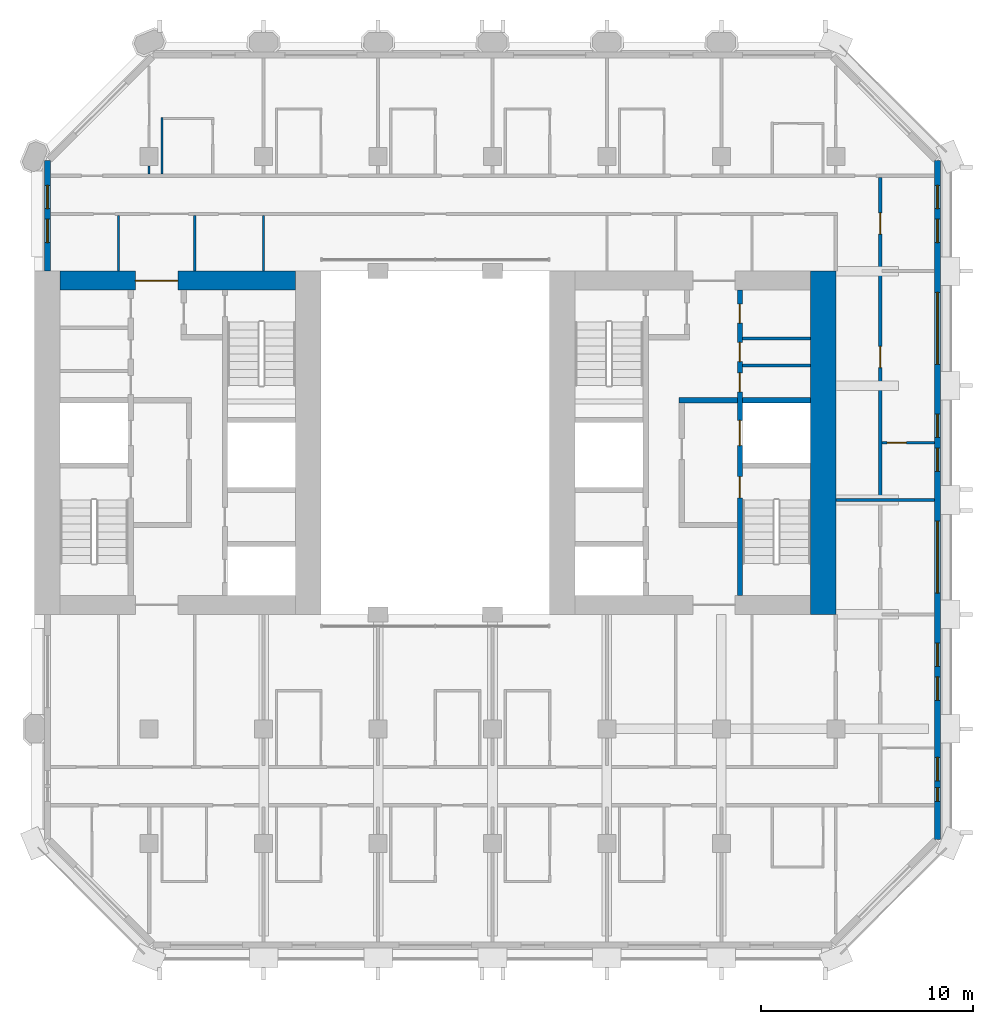
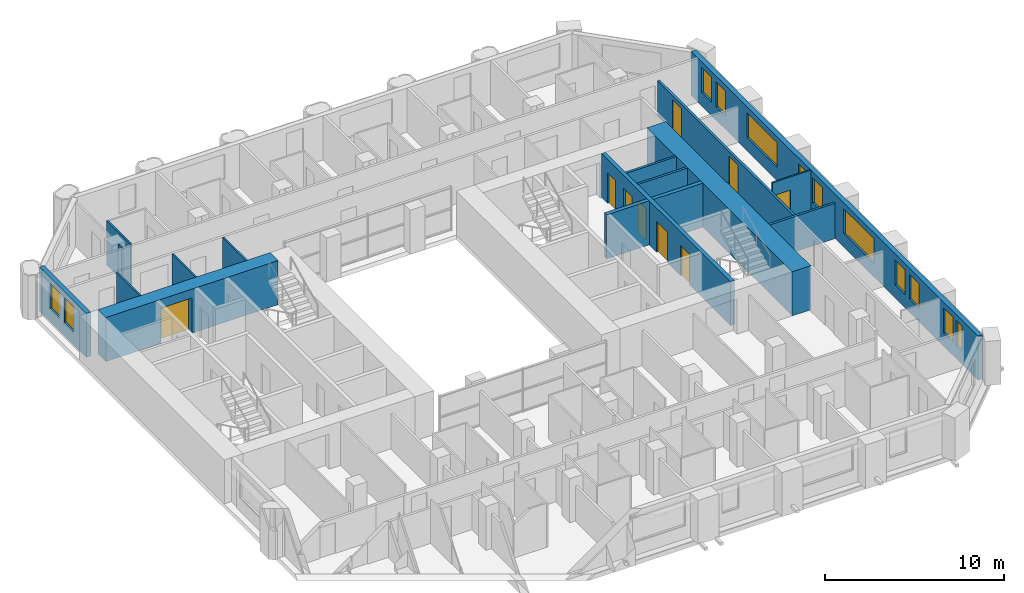
# One storey, part 9 of 13: 17 walls, 12 windows, 9 doors, 21 openings.
"""IFC4 building model written with IfcOpenShell, lengths in metres."""

import ifcopenshell
import ifcopenshell.guid

model = None  # the IFC model being written
_history = None  # IfcOwnerHistory: only IFC2X3 demands one
_inside = {}  # id of a spatial element -> (the spatial element, [elements in it])
_under = {}  # id of a project, library or spatial element -> (it, [spatial elements below it])
_declared = {}  # id of a project -> (the project, [libraries it declares])
_typed = {}  # id of a type object -> (the type object, [elements of that type])
_made_of = {}  # id of a material, layer set ... -> (it, [elements and type objects made of it])


def new_model(schema):
    """Start an empty IFC model of exactly this schema.

    Asked for "IFC4X3", IfcOpenShell would pick the latest addendum, in which some entities
    have other attributes; the version numbers below select the first issue.
    IFC2X3 requires an IfcOwnerHistory on every rooted entity: one is made here for all.
    """
    global model, _history
    if schema == "IFC4X3":
        model = ifcopenshell.file(schema_version=(4, 3, 0, 0))
    else:
        model = ifcopenshell.file(schema=schema)
    _inside.clear()
    _under.clear()
    _declared.clear()
    _typed.clear()
    _made_of.clear()
    _history = None
    if model.schema == "IFC2X3":
        org = make("IfcOrganization", Name="unknown")
        user = make(
            "IfcPersonAndOrganization",
            ThePerson=make("IfcPerson", FamilyName="unknown"),
            TheOrganization=org,
        )
        app = make(
            "IfcApplication",
            ApplicationDeveloper=org,
            Version="unknown",
            ApplicationFullName="unknown",
            ApplicationIdentifier="unknown",
        )
        _history = make(
            "IfcOwnerHistory",
            OwningUser=user,
            OwningApplication=app,
            ChangeAction="ADDED",
            CreationDate=0,
        )
    return model


def make(cls, **values):
    """One entity of the class cls with the attributes given. An attribute that is None is left unset."""
    return model.create_entity(
        cls, **{name: value for name, value in values.items() if value is not None}
    )


def rooted(cls, **values):
    """An entity with a GlobalId (a new one), such as an element, a storey or a relation."""
    return make(cls, GlobalId=ifcopenshell.guid.new(), OwnerHistory=_history, **values)


def si_unit(unit_type, name, prefix=None):
    """IfcSIUnit, for example si_unit("LENGTHUNIT", "METRE", prefix="MILLI")."""
    return make("IfcSIUnit", UnitType=unit_type, Prefix=prefix, Name=name)


def assignment(units):
    """IfcUnitAssignment: the units of a project."""
    return None if units is None else make("IfcUnitAssignment", Units=units)


def point(xyz):
    """IfcCartesianPoint."""
    return None if xyz is None else make("IfcCartesianPoint", Coordinates=xyz)


def direction(xyz):
    """IfcDirection."""
    return None if xyz is None else make("IfcDirection", DirectionRatios=xyz)


def frame(location, z_axis=None, x_axis=None):
    """IfcAxis2Placement3D, a coordinate frame: its origin and axes. An axis left out is left unset."""
    return make(
        "IfcAxis2Placement3D",
        Location=point(location),
        Axis=direction(z_axis),
        RefDirection=direction(x_axis),
    )


def frame_2d(location, x_axis=None):
    """IfcAxis2Placement2D, a coordinate frame in the plane: its origin and x axis."""
    return make(
        "IfcAxis2Placement2D", Location=point(location), RefDirection=direction(x_axis)
    )


def origin():
    """The frame at (0, 0, 0) with its axes left unset."""
    return frame((0.0, 0.0, 0.0))


def place(relative_to, where):
    """IfcLocalPlacement: puts the frame where relative to a parent placement (None: the world)."""
    return make(
        "IfcLocalPlacement", PlacementRelTo=relative_to, RelativePlacement=where
    )


def context(
    kind, dimensions, precision=None, world=None, true_north=None, identifier=None
):
    """IfcGeometricRepresentationContext, for example the 3D "Model" context."""
    return make(
        "IfcGeometricRepresentationContext",
        ContextIdentifier=identifier,
        ContextType=kind,
        CoordinateSpaceDimension=dimensions,
        Precision=precision,
        WorldCoordinateSystem=world,
        TrueNorth=true_north,
    )


def subcontext(parent, identifier, kind, view, scale=None):
    """IfcGeometricRepresentationSubContext, for example "Body" below "Model"."""
    return make(
        "IfcGeometricRepresentationSubContext",
        ContextIdentifier=identifier,
        ContextType=kind,
        ParentContext=parent,
        TargetScale=scale,
        TargetView=view,
    )


def project(units=None, contexts=None):
    """IfcProject with its units and contexts."""
    return rooted(
        "IfcProject",
        Name="project",
        RepresentationContexts=contexts,
        UnitsInContext=assignment(units),
    )


def spatial(cls, under=None, at=None, **own):
    """A site, building, storey or space (cls), placed at a placement, below another one or the project."""
    s = rooted(cls, ObjectPlacement=at, **own)
    if under is not None:
        _under.setdefault(under.id(), (under, []))[1].append(s)
    return s


def profile(cls, at=None, kind="AREA", **sizes):
    """A parametric profile (cls). Its sizes go by their IFC names, for example OverallWidth=200.0."""
    return make(cls, ProfileType=kind, Position=at, **sizes)


def rectangle(**sizes):
    """IfcRectangleProfileDef."""
    return profile("IfcRectangleProfileDef", **sizes)


def extrude(swept, where, along, depth):
    """IfcExtrudedAreaSolid: the profile swept, set in the frame where, extruded along a direction by depth."""
    return make(
        "IfcExtrudedAreaSolid",
        SweptArea=swept,
        Position=where,
        ExtrudedDirection=direction(along),
        Depth=depth,
    )


def shape(context_of_items, identifier, shape_type, items):
    """IfcShapeRepresentation: the items that make up one representation, for example the "Body"."""
    return make(
        "IfcShapeRepresentation",
        ContextOfItems=context_of_items,
        RepresentationIdentifier=identifier,
        RepresentationType=shape_type,
        Items=items,
    )


def material(Name=None, Category=None):
    """IfcMaterial."""
    return make("IfcMaterial", Name=Name, Category=Category)


def layer(
    of_material, thickness, ventilated=None, Name=None, Category=None, Priority=None
):
    """IfcMaterialLayer: one layer of a wall or slab, of a material (None: an air gap)."""
    return make(
        "IfcMaterialLayer",
        Material=of_material,
        LayerThickness=thickness,
        IsVentilated=ventilated,
        Name=Name,
        Category=Category,
        Priority=Priority,
    )


def layer_set(layers, Name=None):
    """IfcMaterialLayerSet."""
    return make("IfcMaterialLayerSet", MaterialLayers=layers, LayerSetName=Name)


def made_of(thing, what):
    """Note that an element or type object is made of a material, layer set ...; save() writes the relation."""
    if what is not None:
        _made_of.setdefault(what.id(), (what, []))[1].append(thing)
    return thing


def type_object(cls, material=None, **own):
    """A type object (cls), such as IfcWallType, which elements share."""
    return made_of(rooted(cls, **own), material)


def element(
    cls,
    number,
    at=None,
    inside=None,
    cuts=None,
    type_object=None,
    material=None,
    context=None,
    identifier="Body",
    shape_type=None,
    held_by="IfcProductDefinitionShape",
    body=None,
    shapes=None,
    **own,
):
    """One element of the class cls, such as IfcWall. Its Tag is "e" and its number.

    at: its placement. inside: the storey or other place that contains it. cuts: it is an
    opening in that element (IfcRelVoidsElement). A single representation is given by context,
    identifier, shape_type and body (its items); several are given by shapes. held_by: the class
    of the entity that holds the representations. save() writes the other relations.
    """
    e = rooted(cls, Tag="e%d" % number, ObjectPlacement=at, **own)
    if body is not None:
        shapes = [shape(context, identifier, shape_type, body)]
    if shapes is not None:
        e.Representation = make(held_by, Representations=shapes)
    if inside is not None:
        _inside.setdefault(inside.id(), (inside, []))[1].append(e)
    if cuts is not None:
        rooted(
            "IfcRelVoidsElement", RelatingBuildingElement=cuts, RelatedOpeningElement=e
        )
    if type_object is not None:
        _typed.setdefault(type_object.id(), (type_object, []))[1].append(e)
    return made_of(e, material)


def fill(opening, filler):
    """IfcRelFillsElement: the door or window that sits in an opening."""
    return rooted(
        "IfcRelFillsElement",
        RelatingOpeningElement=opening,
        RelatedBuildingElement=filler,
    )


def aggregate(whole, parts):
    """IfcRelAggregates: a whole, such as a stair, and the parts it consists of."""
    return rooted("IfcRelAggregates", RelatingObject=whole, RelatedObjects=parts)


def save(model, path):
    """Write the relations noted so far, then the file.

    IfcRelAggregates (storeys below a building ...), IfcRelContainedInSpatialStructure (elements
    in a storey), IfcRelDefinesByType, IfcRelAssociatesMaterial and IfcRelDeclares: one each for
    every whole, place, type object, material and project.
    """
    for whole, parts in _under.values():
        aggregate(whole, parts)
    for where, things in _inside.values():
        rooted(
            "IfcRelContainedInSpatialStructure",
            RelatedElements=things,
            RelatingStructure=where,
        )
    for kind, things in _typed.values():
        rooted("IfcRelDefinesByType", RelatedObjects=things, RelatingType=kind)
    for what, things in _made_of.values():
        rooted("IfcRelAssociatesMaterial", RelatedObjects=things, RelatingMaterial=what)
    for by, libraries in _declared.values():
        rooted("IfcRelDeclares", RelatingContext=by, RelatedDefinitions=libraries)
    model.write(path)


model = new_model("IFC4")

# Units and contexts
model_context = context("Model", 3, precision=1e-05, world=origin(), true_north=direction((0.0, 1.0)))
body_context = subcontext(model_context, "Body", "Model", "MODEL_VIEW")
ifc_project = project(units=[si_unit("LENGTHUNIT", "METRE"), si_unit("AREAUNIT", "SQUARE_METRE"), si_unit("VOLUMEUNIT", "CUBIC_METRE"), si_unit("PLANEANGLEUNIT", "RADIAN"), si_unit("MASSUNIT", "GRAM", prefix="KILO")], contexts=[model_context])

# Site, building, storey
site_placement = place(None, origin())
site = spatial("IfcSite", under=ifc_project, at=site_placement, CompositionType="ELEMENT")
building_placement = place(site_placement, origin())
building = spatial("IfcBuilding", under=site, at=building_placement, Name="Tabaq Tower and Sports Hall", CompositionType="ELEMENT")
storey_placement = place(building_placement, frame((0.0, 0.0, 159.39990234375)))
storey = spatial("IfcBuildingStorey", under=building, at=storey_placement, Name="L37", CompositionType="ELEMENT", Elevation=159.39990234375)

# Walls
ifc_material_1 = material(Name="Blockwork", Category="masonry")
ifc_layer_1 = layer(ifc_material_1, 0.14990234375)
ifc_layer_set_1 = layer_set([ifc_layer_1], Name="Core room partition 150 Blockwork")
wall_type_1 = type_object("IfcWallType", Name="Core room partition 150 Blockwork", PredefinedType="PARTITIONING", material=ifc_layer_set_1)
for number, where, z_axis, x_axis, name in (
    (1, (38.800048828125, 27.947998046875, 0.0), (0.0, 0.0, 1.0), (1.0, 0.0, 0.0), "Core room partition E L37"),
    (2, (38.800048828125, 29.217041015625, 0.0), (0.0, 0.0, 1.0), (1.0, 0.0, 0.0), "Core room partition E L37"),
):
    element("IfcWall", number, at=place(storey_placement, frame(where, z_axis=z_axis, x_axis=x_axis)), inside=storey, type_object=wall_type_1, Name=name, PredefinedType="PARTITIONING", context=body_context, shape_type="SweptSolid", body=[
        extrude(rectangle(XDim=3.199951171875, YDim=0.14990234375, at=frame_2d((1.60009765625, 0.0))), origin(), (0.0, 0.0, 1.0), 3.0),
    ])
ifc_material_2 = material(Name="Concrete C50/60", Category="concrete")
ifc_layer_2 = layer(ifc_material_2, 1.199951171875)
ifc_layer_set_2 = layer_set([ifc_layer_2], Name="Core wall 1200 Concrete C50/60")
wall_type_2 = type_object("IfcWallType", Name="Core wall 1200 Concrete C50/60", PredefinedType="SOLIDWALL", material=ifc_layer_set_2)
wall_1_placement = place(storey_placement, frame((42.60009765625, 32.39990234375, 0.0), z_axis=(0.0, 0.0, 1.0), x_axis=(0.0, -1.0, 0.0)))
element("IfcWall", 3, at=wall_1_placement, inside=storey, type_object=wall_type_2, Name="Core wall E L37", PredefinedType="SOLIDWALL", context=body_context, shape_type="SweptSolid", body=[
    extrude(rectangle(XDim=16.199951171875, YDim=1.199951171875, at=frame_2d((8.10009765625, 0.0))), origin(), (0.0, 0.0, 1.0), 3.0),
])

# Wall, opening, door
ifc_material_3 = material(Name="Concrete C50/60", Category="concrete")
ifc_layer_3 = layer(ifc_material_3, 0.89990234375)
ifc_layer_set_3 = layer_set([ifc_layer_3], Name="Core wall 900 Concrete C50/60")
wall_type_3 = type_object("IfcWallType", Name="Core wall 900 Concrete C50/60", PredefinedType="SOLIDWALL", material=ifc_layer_set_3)
wall_2_placement = place(storey_placement, frame((6.60009765625, 31.949951171875, 0.0), z_axis=(0.0, 0.0, 1.0), x_axis=(1.0, 0.0, 0.0)))
wall_2 = element("IfcWall", 4, at=wall_2_placement, inside=storey, type_object=wall_type_3, Name="Core wall W L37", PredefinedType="SOLIDWALL", context=body_context, shape_type="SweptSolid", body=[
    extrude(rectangle(XDim=11.099853515625, YDim=0.89990234375, at=frame_2d((5.5498046875, 0.0))), origin(), (0.0, 0.0, 1.0), 3.0),
])
opening_1_placement = place(wall_2_placement, frame((3.550048828125, 0.0, 0.0)))
opening_1 = element("IfcOpeningElement", 5, at=opening_1_placement, cuts=wall_2, Name="Opening PD-WL37-02", PredefinedType="OPENING", context=body_context, shape_type="SweptSolid", body=[
    extrude(rectangle(XDim=2.0, YDim=2.39990234375, at=frame_2d((1.0, 1.199951171875))), frame((0.0, 0.449951171875, 0.0), z_axis=(0.0, -1.0, 0.0), x_axis=(1.0, 0.0, 0.0)), (0.0, 0.0, 1.0), 0.89990234375),
])
ifc_material_4 = material(Name="Steel fire door", Category="steel")
door_type_1 = type_object("IfcDoorType", Name="Core entrance door 2000", OperationType="DOUBLE_DOOR_SINGLE_SWING", PredefinedType="DOOR", material=ifc_material_4)
door_1_placement = place(opening_1_placement, origin())
door_1 = element("IfcDoor", 6, at=door_1_placement, inside=storey, type_object=door_type_1, Name="Core entrance north W L37", OperationType="DOUBLE_DOOR_SINGLE_SWING", OverallHeight=2.39990234375, OverallWidth=2.0, PredefinedType="DOOR", context=body_context, shape_type="SweptSolid", body=[
    extrude(rectangle(XDim=2.0, YDim=2.39990234375, at=frame_2d((1.0, 1.199951171875))), frame((0.0, 0.02490234375, 0.0), z_axis=(0.0, -1.0, 0.0), x_axis=(1.0, 0.0, 0.0)), (0.0, 0.0, 1.0), 0.050048828125),
])
fill(opening_1, door_1)

# Walls
ifc_material_5 = material(Name="Gypsum board on steel studs", Category="steel")
ifc_layer_4 = layer(ifc_material_5, 0.10009765625)
ifc_layer_set_4 = layer_set([ifc_layer_4], Name="Partition 100 Gypsum board")
wall_type_4 = type_object("IfcWallType", Name="Partition 100 Gypsum board", PredefinedType="PARTITIONING", material=ifc_layer_set_4)
wall_3_placement = place(storey_placement, frame((10.800048828125, 37.35498046875, 0.0), z_axis=(0.0, 0.0, 1.0), x_axis=(0.0, -1.0, 0.0)))
element("IfcWall", 7, at=wall_3_placement, inside=storey, type_object=wall_type_4, Name="Partition wall L37", PredefinedType="PARTITIONING", context=body_context, shape_type="SweptSolid", body=[
    extrude(rectangle(XDim=0.3798828125, YDim=0.10009765625, at=frame_2d((0.18994140625, 0.0))), origin(), (0.0, 0.0, 1.0), 3.0),
])
wall_4_placement = place(storey_placement, frame((11.39990234375, 36.97509765625, 0.0), z_axis=(0.0, 0.0, 1.0), x_axis=(0.0, 1.0, 0.0)))
element("IfcWall", 8, at=wall_4_placement, inside=storey, type_object=wall_type_4, Name="Partition wall L37", PredefinedType="PARTITIONING", context=body_context, shape_type="SweptSolid", body=[
    extrude(rectangle(XDim=2.6748046875, YDim=0.10009765625, at=frame_2d((1.33740234375, 0.0))), origin(), (0.0, 0.0, 1.0), 3.0),
])
wall_5_placement = place(storey_placement, frame((16.199951171875, 35.02490234375, 0.0), z_axis=(0.0, 0.0, 1.0), x_axis=(0.0, -1.0, 0.0)))
element("IfcWall", 9, at=wall_5_placement, inside=storey, type_object=wall_type_4, Name="Partition wall L37", PredefinedType="PARTITIONING", context=body_context, shape_type="SweptSolid", body=[
    extrude(rectangle(XDim=2.625, YDim=0.10009765625, at=frame_2d((1.3125, 0.0))), origin(), (0.0, 0.0, 1.0), 3.0),
])

# Wall, opening, door
wall_6_placement = place(storey_placement, frame((45.375, 24.300048828125, 0.0), z_axis=(0.0, 0.0, 1.0), x_axis=(1.0, 0.0, 0.0)))
wall_6 = element("IfcWall", 10, at=wall_6_placement, inside=storey, type_object=wall_type_4, Name="Partition wall L37", PredefinedType="PARTITIONING", context=body_context, shape_type="SweptSolid", body=[
    extrude(rectangle(XDim=2.47412109375, YDim=0.10009765625, at=frame_2d((1.237060546875, 0.0))), origin(), (0.0, 0.0, 1.0), 3.0),
])
opening_2_placement = place(wall_6_placement, frame((0.25, 0.0, 0.0)))
opening_2 = element("IfcOpeningElement", 11, at=opening_2_placement, cuts=wall_6, Name="Opening L37-009", PredefinedType="OPENING", context=body_context, shape_type="SweptSolid", body=[
    extrude(rectangle(XDim=0.89990234375, YDim=2.10009765625, at=frame_2d((0.449951171875, 1.050048828125))), frame((0.0, 0.050048828125, 0.0), z_axis=(0.0, -1.0, 0.0), x_axis=(1.0, 0.0, 0.0)), (0.0, 0.0, 1.0), 0.10009765625),
])
ifc_material_6 = material(Name="Timber leaf in steel frame", Category="steel")
door_type_2 = type_object("IfcDoorType", Name="Internal door 900 left hand", OperationType="SINGLE_SWING_LEFT", PredefinedType="DOOR", material=ifc_material_6)
door_2_placement = place(opening_2_placement, origin())
door_2 = element("IfcDoor", 12, at=door_2_placement, inside=storey, type_object=door_type_2, Name="Internal door L37-009", OperationType="SINGLE_SWING_LEFT", OverallHeight=2.10009765625, OverallWidth=0.89990234375, PredefinedType="DOOR", context=body_context, shape_type="SweptSolid", body=[
    extrude(rectangle(XDim=0.89990234375, YDim=2.10009765625, at=frame_2d((0.449951171875, 1.050048828125))), frame((0.0, 0.02490234375, 0.0), z_axis=(0.0, -1.0, 0.0), x_axis=(1.0, 0.0, 0.0)), (0.0, 0.0, 1.0), 0.050048828125),
])
fill(opening_2, door_2)

# Walls
for number, where, z_axis, x_axis, name in (
    (13, (9.35009765625, 35.02490234375, 0.0), (0.0, 0.0, 1.0), (0.0, -1.0, 0.0), "Partition wall L37"),
    (14, (12.949951171875, 32.39990234375, 0.0), (0.0, 0.0, 1.0), (0.0, 1.0, 0.0), "Partition wall L37"),
):
    element("IfcWall", number, at=place(storey_placement, frame(where, z_axis=z_axis, x_axis=x_axis)), inside=storey, type_object=wall_type_4, Name=name, PredefinedType="PARTITIONING", context=body_context, shape_type="SweptSolid", body=[
        extrude(rectangle(XDim=2.625, YDim=0.10009765625, at=frame_2d((1.3125, 0.0))), origin(), (0.0, 0.0, 1.0), 3.0),
    ])

# Wall, openings, doors
ifc_material_7 = material(Name="Blockwork", Category="masonry")
ifc_layer_5 = layer(ifc_material_7, 0.14990234375)
ifc_layer_set_5 = layer_set([ifc_layer_5], Name="Separating wall 150 Blockwork")
wall_type_5 = type_object("IfcWallType", Name="Separating wall 150 Blockwork", PredefinedType="PARTITIONING", material=ifc_layer_set_5)
wall_7_placement = place(storey_placement, frame((45.300048828125, 36.824951171875, 0.0), z_axis=(0.0, 0.0, 1.0), x_axis=(0.0, -1.0, 0.0)))
wall_7 = element("IfcWall", 15, at=wall_7_placement, inside=storey, type_object=wall_type_5, Name="Separating wall L37", PredefinedType="PARTITIONING", context=body_context, shape_type="SweptSolid", body=[
    extrude(rectangle(XDim=15.14990234375, YDim=0.14990234375, at=frame_2d((7.574951171875, 0.0))), origin(), (0.0, 0.0, 1.0), 2.400146484375),
])
opening_3_placement = place(wall_7_placement, frame((1.675048828125, 0.0, 0.0)))
opening_3 = element("IfcOpeningElement", 16, at=opening_3_placement, cuts=wall_7, Name="Opening L37-001", PredefinedType="OPENING", context=body_context, shape_type="SweptSolid", body=[
    extrude(rectangle(XDim=1.0, YDim=2.10009765625, at=frame_2d((0.5, 1.050048828125))), frame((0.0, 0.074951171875, 0.0), z_axis=(0.0, -1.0, 0.0), x_axis=(1.0, 0.0, 0.0)), (0.0, 0.0, 1.0), 0.14990234375),
])
opening_4_placement = place(wall_7_placement, frame((7.97509765625, 0.0, 0.0)))
opening_4 = element("IfcOpeningElement", 17, at=opening_4_placement, cuts=wall_7, Name="Opening L37-038", PredefinedType="OPENING", context=body_context, shape_type="SweptSolid", body=[
    extrude(rectangle(XDim=1.0, YDim=2.10009765625, at=frame_2d((0.5, 1.050048828125))), frame((0.0, 0.074951171875, 0.0), z_axis=(0.0, -1.0, 0.0), x_axis=(1.0, 0.0, 0.0)), (0.0, 0.0, 1.0), 0.14990234375),
])
ifc_material_8 = material(Name="Steel fire door", Category="steel")
door_type_3 = type_object("IfcDoorType", Name="Entrance door 1000 right hand", OperationType="SINGLE_SWING_RIGHT", PredefinedType="DOOR", material=ifc_material_8)
door_3_placement = place(opening_4_placement, origin())
door_3 = element("IfcDoor", 18, at=door_3_placement, inside=storey, type_object=door_type_3, Name="Entrance door L37-038", OperationType="SINGLE_SWING_RIGHT", OverallHeight=2.10009765625, OverallWidth=1.0, PredefinedType="DOOR", context=body_context, shape_type="SweptSolid", body=[
    extrude(rectangle(XDim=1.0, YDim=2.10009765625, at=frame_2d((0.5, 1.050048828125))), frame((0.0, 0.02490234375, 0.0), z_axis=(0.0, -1.0, 0.0), x_axis=(1.0, 0.0, 0.0)), (0.0, 0.0, 1.0), 0.050048828125),
])
fill(opening_4, door_3)
ifc_material_9 = material(Name="Timber leaf in steel frame", Category="steel")
door_type_4 = type_object("IfcDoorType", Name="Internal door 1000 left hand", OperationType="SINGLE_SWING_LEFT", PredefinedType="DOOR", material=ifc_material_9)
door_4_placement = place(opening_3_placement, origin())
door_4 = element("IfcDoor", 19, at=door_4_placement, inside=storey, type_object=door_type_4, Name="Internal door L37-001", OperationType="SINGLE_SWING_LEFT", OverallHeight=2.10009765625, OverallWidth=1.0, PredefinedType="DOOR", context=body_context, shape_type="SweptSolid", body=[
    extrude(rectangle(XDim=1.0, YDim=2.10009765625, at=frame_2d((0.5, 1.050048828125))), frame((0.0, 0.02490234375, 0.0), z_axis=(0.0, -1.0, 0.0), x_axis=(1.0, 0.0, 0.0)), (0.0, 0.0, 1.0), 0.050048828125),
])
fill(opening_3, door_4)

# Wall
wall_8_placement = place(storey_placement, frame((43.199951171875, 21.60009765625, 0.0), z_axis=(0.0, 0.0, 1.0), x_axis=(1.0, 0.0, 0.0)))
element("IfcWall", 20, at=wall_8_placement, inside=storey, type_object=wall_type_5, Name="Separating wall L37", PredefinedType="PARTITIONING", context=body_context, shape_type="SweptSolid", body=[
    extrude(rectangle(XDim=4.649169921875, YDim=0.14990234375, at=frame_2d((2.32470703125, 0.0))), origin(), (0.0, 0.0, 1.0), 2.400146484375),
])

# Wall, openings, doors
ifc_material_10 = material(Name="Concrete C40/50", Category="concrete")
ifc_layer_6 = layer(ifc_material_10, 0.25)
ifc_layer_set_6 = layer_set([ifc_layer_6], Name="Shaft and stair wall 250 Concrete C40/50")
wall_type_6 = type_object("IfcWallType", Name="Shaft and stair wall 250 Concrete C40/50", PredefinedType="SOLIDWALL", material=ifc_layer_set_6)
wall_9_placement = place(storey_placement, frame((38.675048828125, 17.10009765625, 0.0), z_axis=(0.0, 0.0, 1.0), x_axis=(0.0, 1.0, 0.0)))
wall_9 = element("IfcWall", 21, at=wall_9_placement, inside=storey, type_object=wall_type_6, Name="Shaft wall E L37", PredefinedType="SOLIDWALL", context=body_context, shape_type="SweptSolid", body=[
    extrude(rectangle(XDim=14.39990234375, YDim=0.25, at=frame_2d((7.199951171875, 0.0))), origin(), (0.0, 0.0, 1.0), 3.0),
])
opening_5_placement = place(wall_9_placement, frame((4.60009765625, 0.0, 0.0)))
opening_5 = element("IfcOpeningElement", 22, at=opening_5_placement, cuts=wall_9, Name="Opening SD-EL37-03", PredefinedType="OPENING", context=body_context, shape_type="SweptSolid", body=[
    extrude(rectangle(XDim=1.0, YDim=2.10009765625, at=frame_2d((0.5, 1.050048828125))), frame((0.0, 0.125, 0.0), z_axis=(0.0, -1.0, 0.0), x_axis=(1.0, 0.0, 0.0)), (0.0, 0.0, 1.0), 0.25),
])
opening_6_placement = place(wall_9_placement, frame((7.0625, 0.0, 0.0)))
opening_6 = element("IfcOpeningElement", 23, at=opening_6_placement, cuts=wall_9, Name="Opening LD-FF2-L37", PredefinedType="OPENING", context=body_context, shape_type="SweptSolid", body=[
    extrude(rectangle(XDim=1.199951171875, YDim=2.10009765625, at=frame_2d((0.60009765625, 1.050048828125))), frame((0.0, 0.125, 0.0), z_axis=(0.0, -1.0, 0.0), x_axis=(1.0, 0.0, 0.0)), (0.0, 0.0, 1.0), 0.25),
])
opening_7_placement = place(wall_9_placement, frame((9.59912109375, 0.0, 0.0)))
opening_7 = element("IfcOpeningElement", 24, at=opening_7_placement, cuts=wall_9, Name="Opening RD-EL37-09", PredefinedType="OPENING", context=body_context, shape_type="SweptSolid", body=[
    extrude(rectangle(XDim=0.89990234375, YDim=2.10009765625, at=frame_2d((0.449951171875, 1.050048828125))), frame((0.0, 0.125, 0.0), z_axis=(0.0, -1.0, 0.0), x_axis=(1.0, 0.0, 0.0)), (0.0, 0.0, 1.0), 0.25),
])
opening_8_placement = place(wall_9_placement, frame((11.032470703125, 0.0, 0.0)))
opening_8 = element("IfcOpeningElement", 25, at=opening_8_placement, cuts=wall_9, Name="Opening RD-EL37-10", PredefinedType="OPENING", context=body_context, shape_type="SweptSolid", body=[
    extrude(rectangle(XDim=0.89990234375, YDim=2.10009765625, at=frame_2d((0.449951171875, 1.050048828125))), frame((0.0, 0.125, 0.0), z_axis=(0.0, -1.0, 0.0), x_axis=(1.0, 0.0, 0.0)), (0.0, 0.0, 1.0), 0.25),
])
opening_9_placement = place(wall_9_placement, frame((12.845947265625, 0.0, 0.0)))
opening_9 = element("IfcOpeningElement", 26, at=opening_9_placement, cuts=wall_9, Name="Opening RD-EL37-11", PredefinedType="OPENING", context=body_context, shape_type="SweptSolid", body=[
    extrude(rectangle(XDim=0.89990234375, YDim=2.10009765625, at=frame_2d((0.449951171875, 1.050048828125))), frame((0.0, 0.125, 0.0), z_axis=(0.0, -1.0, 0.0), x_axis=(1.0, 0.0, 0.0)), (0.0, 0.0, 1.0), 0.25),
])
ifc_material_11 = material(Name="Steel fire door", Category="steel")
door_type_5 = type_object("IfcDoorType", Name="Core room door 900", OperationType="SINGLE_SWING_LEFT", PredefinedType="DOOR", material=ifc_material_11)
door_5_placement = place(opening_7_placement, origin())
door_5 = element("IfcDoor", 27, at=door_5_placement, inside=storey, type_object=door_type_5, Name="Door Accessible WC E L37", OperationType="SINGLE_SWING_LEFT", OverallHeight=2.10009765625, OverallWidth=0.89990234375, PredefinedType="DOOR", context=body_context, shape_type="SweptSolid", body=[
    extrude(rectangle(XDim=0.89990234375, YDim=2.10009765625, at=frame_2d((0.449951171875, 1.050048828125))), frame((0.0, 0.02490234375, 0.0), z_axis=(0.0, -1.0, 0.0), x_axis=(1.0, 0.0, 0.0)), (0.0, 0.0, 1.0), 0.050048828125),
])
fill(opening_7, door_5)
door_6_placement = place(opening_8_placement, origin())
door_6 = element("IfcDoor", 28, at=door_6_placement, inside=storey, type_object=door_type_5, Name="Door Electrical Riser Room E L37", OperationType="SINGLE_SWING_LEFT", OverallHeight=2.10009765625, OverallWidth=0.89990234375, PredefinedType="DOOR", context=body_context, shape_type="SweptSolid", body=[
    extrude(rectangle(XDim=0.89990234375, YDim=2.10009765625, at=frame_2d((0.449951171875, 1.050048828125))), frame((0.0, 0.02490234375, 0.0), z_axis=(0.0, -1.0, 0.0), x_axis=(1.0, 0.0, 0.0)), (0.0, 0.0, 1.0), 0.050048828125),
])
fill(opening_8, door_6)
door_7_placement = place(opening_9_placement, origin())
door_7 = element("IfcDoor", 29, at=door_7_placement, inside=storey, type_object=door_type_5, Name="Door Unisex WC E L37", OperationType="SINGLE_SWING_LEFT", OverallHeight=2.10009765625, OverallWidth=0.89990234375, PredefinedType="DOOR", context=body_context, shape_type="SweptSolid", body=[
    extrude(rectangle(XDim=0.89990234375, YDim=2.10009765625, at=frame_2d((0.449951171875, 1.050048828125))), frame((0.0, 0.02490234375, 0.0), z_axis=(0.0, -1.0, 0.0), x_axis=(1.0, 0.0, 0.0)), (0.0, 0.0, 1.0), 0.050048828125),
])
fill(opening_9, door_7)
ifc_material_12 = material(Name="Stainless steel", Category="steel")
door_type_6 = type_object("IfcDoorType", Name="Lift landing door 1200", OperationType="DOUBLE_DOOR_SLIDING", PredefinedType="DOOR", material=ifc_material_12)
door_8_placement = place(opening_6_placement, origin())
door_8 = element("IfcDoor", 30, at=door_8_placement, inside=storey, type_object=door_type_6, Name="Lift landing door FF2 E L37", OperationType="DOUBLE_DOOR_SLIDING", OverallHeight=2.10009765625, OverallWidth=1.199951171875, PredefinedType="DOOR", context=body_context, shape_type="SweptSolid", body=[
    extrude(rectangle(XDim=1.199951171875, YDim=2.10009765625, at=frame_2d((0.60009765625, 1.050048828125))), frame((0.0, 0.02490234375, 0.0), z_axis=(0.0, -1.0, 0.0), x_axis=(1.0, 0.0, 0.0)), (0.0, 0.0, 1.0), 0.050048828125),
])
fill(opening_6, door_8)
ifc_material_13 = material(Name="Steel fire door", Category="steel")
door_type_7 = type_object("IfcDoorType", Name="Stair door 1000", OperationType="SINGLE_SWING_LEFT", PredefinedType="DOOR", material=ifc_material_13)
door_9_placement = place(opening_5_placement, origin())
door_9 = element("IfcDoor", 31, at=door_9_placement, inside=storey, type_object=door_type_7, Name="Stair door ST3 E L37", OperationType="SINGLE_SWING_LEFT", OverallHeight=2.10009765625, OverallWidth=1.0, PredefinedType="DOOR", context=body_context, shape_type="SweptSolid", body=[
    extrude(rectangle(XDim=1.0, YDim=2.10009765625, at=frame_2d((0.5, 1.050048828125))), frame((0.0, 0.02490234375, 0.0), z_axis=(0.0, -1.0, 0.0), x_axis=(1.0, 0.0, 0.0)), (0.0, 0.0, 1.0), 0.050048828125),
])
fill(opening_5, door_9)

# Walls
wall_10_placement = place(storey_placement, frame((38.800048828125, 26.300048828125, 0.0), z_axis=(0.0, 0.0, 1.0), x_axis=(1.0, 0.0, 0.0)))
element("IfcWall", 32, at=wall_10_placement, inside=storey, type_object=wall_type_6, Name="Shaft wall E L37", PredefinedType="SOLIDWALL", context=body_context, shape_type="SweptSolid", body=[
    extrude(rectangle(XDim=3.199951171875, YDim=0.25, at=frame_2d((1.60009765625, 0.0))), origin(), (0.0, 0.0, 1.0), 3.0),
])
wall_11_placement = place(storey_placement, frame((35.800048828125, 26.300048828125, 0.0), z_axis=(0.0, 0.0, 1.0), x_axis=(1.0, 0.0, 0.0)))
element("IfcWall", 33, at=wall_11_placement, inside=storey, type_object=wall_type_6, Name="Fire-fighting lobby wall E L37", PredefinedType="SOLIDWALL", context=body_context, shape_type="SweptSolid", body=[
    extrude(rectangle(XDim=2.75, YDim=0.25, at=frame_2d((1.375, 0.0))), origin(), (0.0, 0.0, 1.0), 3.0),
])

# Wall, openings, windows
ifc_material_14 = material(Name="White precast concrete C60/75", Category="concrete")
ifc_layer_7 = layer(ifc_material_14, 0.300048828125)
ifc_layer_set_7 = layer_set([ifc_layer_7], Name="White precast concrete C60/75 external wall 300")
wall_type_7 = type_object("IfcWallType", Name="White precast concrete C60/75 external wall 300", PredefinedType="SOLIDWALL", material=ifc_layer_set_7)
wall_12_placement = place(storey_placement, frame((48.0, 5.58642578125, 0.0), z_axis=(0.0, 0.0, 1.0), x_axis=(0.0, 1.0, 0.0)))
wall_12 = element("IfcWall", 34, at=wall_12_placement, inside=storey, type_object=wall_type_7, Name="External Wall L37 E", PredefinedType="SOLIDWALL", context=body_context, shape_type="SweptSolid", body=[
    extrude(rectangle(XDim=32.027099609375, YDim=0.300048828125, at=frame_2d((16.013671875, 0.0))), origin(), (0.0, 0.0, 1.0), 3.0),
])
opening_10_placement = place(wall_12_placement, frame((1.78857421875, 0.0, 0.89990234375)))
opening_10 = element("IfcOpeningElement", 35, at=opening_10_placement, cuts=wall_12, Name="Opening W1C", PredefinedType="OPENING", context=body_context, shape_type="SweptSolid", body=[
    extrude(rectangle(XDim=0.64990234375, YDim=1.699951171875, at=frame_2d((0.324951171875, 0.85009765625))), frame((0.0, 0.16015625, 0.0), z_axis=(0.0, -1.0, 0.0), x_axis=(1.0, 0.0, 0.0)), (0.0, 0.0, 1.0), 0.320068359375),
])
opening_11_placement = place(wall_12_placement, frame((2.763671875, 0.0, 0.89990234375)))
opening_11 = element("IfcOpeningElement", 36, at=opening_11_placement, cuts=wall_12, Name="Opening W1B", PredefinedType="OPENING", context=body_context, shape_type="SweptSolid", body=[
    extrude(rectangle(XDim=1.10009765625, YDim=1.699951171875, at=frame_2d((0.550048828125, 0.85009765625))), frame((0.0, 0.16015625, 0.0), z_axis=(0.0, -1.0, 0.0), x_axis=(1.0, 0.0, 0.0)), (0.0, 0.0, 1.0), 0.320068359375),
])
opening_12_placement = place(wall_12_placement, frame((6.563720703125, 0.0, 0.89990234375)))
opening_12 = element("IfcOpeningElement", 37, at=opening_12_placement, cuts=wall_12, Name="Opening W1B", PredefinedType="OPENING", context=body_context, shape_type="SweptSolid", body=[
    extrude(rectangle(XDim=1.10009765625, YDim=1.699951171875, at=frame_2d((0.550048828125, 0.85009765625))), frame((0.0, 0.16015625, 0.0), z_axis=(0.0, -1.0, 0.0), x_axis=(1.0, 0.0, 0.0)), (0.0, 0.0, 1.0), 0.320068359375),
])
opening_13_placement = place(wall_12_placement, frame((8.16357421875, 0.0, 0.89990234375)))
opening_13 = element("IfcOpeningElement", 38, at=opening_13_placement, cuts=wall_12, Name="Opening W1B", PredefinedType="OPENING", context=body_context, shape_type="SweptSolid", body=[
    extrude(rectangle(XDim=1.10009765625, YDim=1.699951171875, at=frame_2d((0.550048828125, 0.85009765625))), frame((0.0, 0.16015625, 0.0), z_axis=(0.0, -1.0, 0.0), x_axis=(1.0, 0.0, 0.0)), (0.0, 0.0, 1.0), 0.320068359375),
])
opening_14_placement = place(wall_12_placement, frame((11.613525390625, 0.0, 0.89990234375)))
opening_14 = element("IfcOpeningElement", 39, at=opening_14_placement, cuts=wall_12, Name="Opening W1A", PredefinedType="OPENING", context=body_context, shape_type="SweptSolid", body=[
    extrude(rectangle(XDim=3.39990234375, YDim=1.699951171875, at=frame_2d((1.699951171875, 0.85009765625))), frame((0.0, 0.16015625, 0.0), z_axis=(0.0, -1.0, 0.0), x_axis=(1.0, 0.0, 0.0)), (0.0, 0.0, 1.0), 0.320068359375),
])
opening_15_placement = place(wall_12_placement, frame((17.363525390625, 0.0, 0.89990234375)))
opening_15 = element("IfcOpeningElement", 40, at=opening_15_placement, cuts=wall_12, Name="Opening W1B", PredefinedType="OPENING", context=body_context, shape_type="SweptSolid", body=[
    extrude(rectangle(XDim=1.10009765625, YDim=1.699951171875, at=frame_2d((0.550048828125, 0.85009765625))), frame((0.0, 0.16015625, 0.0), z_axis=(0.0, -1.0, 0.0), x_axis=(1.0, 0.0, 0.0)), (0.0, 0.0, 1.0), 0.320068359375),
])
opening_16_placement = place(wall_12_placement, frame((18.963623046875, 0.0, 0.89990234375)))
opening_16 = element("IfcOpeningElement", 41, at=opening_16_placement, cuts=wall_12, Name="Opening W1B", PredefinedType="OPENING", context=body_context, shape_type="SweptSolid", body=[
    extrude(rectangle(XDim=1.10009765625, YDim=1.699951171875, at=frame_2d((0.550048828125, 0.85009765625))), frame((0.0, 0.16015625, 0.0), z_axis=(0.0, -1.0, 0.0), x_axis=(1.0, 0.0, 0.0)), (0.0, 0.0, 1.0), 0.320068359375),
])
opening_17_placement = place(wall_12_placement, frame((22.41357421875, 0.0, 0.89990234375)))
opening_17 = element("IfcOpeningElement", 42, at=opening_17_placement, cuts=wall_12, Name="Opening W1A", PredefinedType="OPENING", context=body_context, shape_type="SweptSolid", body=[
    extrude(rectangle(XDim=3.39990234375, YDim=1.699951171875, at=frame_2d((1.699951171875, 0.85009765625))), frame((0.0, 0.16015625, 0.0), z_axis=(0.0, -1.0, 0.0), x_axis=(1.0, 0.0, 0.0)), (0.0, 0.0, 1.0), 0.320068359375),
])
opening_18_placement = place(wall_12_placement, frame((28.16357421875, 0.0, 0.89990234375)))
opening_18 = element("IfcOpeningElement", 43, at=opening_18_placement, cuts=wall_12, Name="Opening W1B", PredefinedType="OPENING", context=body_context, shape_type="SweptSolid", body=[
    extrude(rectangle(XDim=1.10009765625, YDim=1.699951171875, at=frame_2d((0.550048828125, 0.85009765625))), frame((0.0, 0.16015625, 0.0), z_axis=(0.0, -1.0, 0.0), x_axis=(1.0, 0.0, 0.0)), (0.0, 0.0, 1.0), 0.320068359375),
])
opening_19_placement = place(wall_12_placement, frame((29.763671875, 0.0, 0.89990234375)))
opening_19 = element("IfcOpeningElement", 44, at=opening_19_placement, cuts=wall_12, Name="Opening W1B", PredefinedType="OPENING", context=body_context, shape_type="SweptSolid", body=[
    extrude(rectangle(XDim=1.10009765625, YDim=1.699951171875, at=frame_2d((0.550048828125, 0.85009765625))), frame((0.0, 0.16015625, 0.0), z_axis=(0.0, -1.0, 0.0), x_axis=(1.0, 0.0, 0.0)), (0.0, 0.0, 1.0), 0.320068359375),
])
ifc_material_15 = material(Name="Aluminium framed clear glazing", Category="aluminium")
window_type_1 = type_object("IfcWindowType", Name="Window W1A", PartitioningType="SINGLE_PANEL", PredefinedType="WINDOW", material=ifc_material_15)
window_1_placement = place(opening_14_placement, origin())
window_1 = element("IfcWindow", 45, at=window_1_placement, inside=storey, type_object=window_type_1, Name="Window W1A L37", OverallHeight=1.699951171875, OverallWidth=3.39990234375, PartitioningType="SINGLE_PANEL", PredefinedType="WINDOW", context=body_context, shape_type="SweptSolid", body=[
    extrude(rectangle(XDim=3.39990234375, YDim=1.699951171875, at=frame_2d((1.699951171875, 0.85009765625))), frame((0.0, 0.030029296875, 0.0), z_axis=(0.0, -1.0, 0.0), x_axis=(1.0, 0.0, 0.0)), (0.0, 0.0, 1.0), 0.06005859375),
])
fill(opening_14, window_1)
window_2_placement = place(opening_17_placement, origin())
window_2 = element("IfcWindow", 46, at=window_2_placement, inside=storey, type_object=window_type_1, Name="Window W1A L37", OverallHeight=1.699951171875, OverallWidth=3.39990234375, PartitioningType="SINGLE_PANEL", PredefinedType="WINDOW", context=body_context, shape_type="SweptSolid", body=[
    extrude(rectangle(XDim=3.39990234375, YDim=1.699951171875, at=frame_2d((1.699951171875, 0.85009765625))), frame((0.0, 0.030029296875, 0.0), z_axis=(0.0, -1.0, 0.0), x_axis=(1.0, 0.0, 0.0)), (0.0, 0.0, 1.0), 0.06005859375),
])
fill(opening_17, window_2)
ifc_material_16 = material(Name="Aluminium framed clear glazing", Category="aluminium")
window_type_2 = type_object("IfcWindowType", Name="Window W1B", PartitioningType="SINGLE_PANEL", PredefinedType="WINDOW", material=ifc_material_16)
window_3_placement = place(opening_11_placement, origin())
window_3 = element("IfcWindow", 47, at=window_3_placement, inside=storey, type_object=window_type_2, Name="Window W1B L37", OverallHeight=1.699951171875, OverallWidth=1.10009765625, PartitioningType="SINGLE_PANEL", PredefinedType="WINDOW", context=body_context, shape_type="SweptSolid", body=[
    extrude(rectangle(XDim=1.10009765625, YDim=1.699951171875, at=frame_2d((0.550048828125, 0.85009765625))), frame((0.0, 0.030029296875, 0.0), z_axis=(0.0, -1.0, 0.0), x_axis=(1.0, 0.0, 0.0)), (0.0, 0.0, 1.0), 0.06005859375),
])
fill(opening_11, window_3)
window_4_placement = place(opening_12_placement, origin())
window_4 = element("IfcWindow", 48, at=window_4_placement, inside=storey, type_object=window_type_2, Name="Window W1B L37", OverallHeight=1.699951171875, OverallWidth=1.10009765625, PartitioningType="SINGLE_PANEL", PredefinedType="WINDOW", context=body_context, shape_type="SweptSolid", body=[
    extrude(rectangle(XDim=1.10009765625, YDim=1.699951171875, at=frame_2d((0.550048828125, 0.85009765625))), frame((0.0, 0.030029296875, 0.0), z_axis=(0.0, -1.0, 0.0), x_axis=(1.0, 0.0, 0.0)), (0.0, 0.0, 1.0), 0.06005859375),
])
fill(opening_12, window_4)
window_5_placement = place(opening_13_placement, origin())
window_5 = element("IfcWindow", 49, at=window_5_placement, inside=storey, type_object=window_type_2, Name="Window W1B L37", OverallHeight=1.699951171875, OverallWidth=1.10009765625, PartitioningType="SINGLE_PANEL", PredefinedType="WINDOW", context=body_context, shape_type="SweptSolid", body=[
    extrude(rectangle(XDim=1.10009765625, YDim=1.699951171875, at=frame_2d((0.550048828125, 0.85009765625))), frame((0.0, 0.030029296875, 0.0), z_axis=(0.0, -1.0, 0.0), x_axis=(1.0, 0.0, 0.0)), (0.0, 0.0, 1.0), 0.06005859375),
])
fill(opening_13, window_5)
window_6_placement = place(opening_15_placement, origin())
window_6 = element("IfcWindow", 50, at=window_6_placement, inside=storey, type_object=window_type_2, Name="Window W1B L37", OverallHeight=1.699951171875, OverallWidth=1.10009765625, PartitioningType="SINGLE_PANEL", PredefinedType="WINDOW", context=body_context, shape_type="SweptSolid", body=[
    extrude(rectangle(XDim=1.10009765625, YDim=1.699951171875, at=frame_2d((0.550048828125, 0.85009765625))), frame((0.0, 0.030029296875, 0.0), z_axis=(0.0, -1.0, 0.0), x_axis=(1.0, 0.0, 0.0)), (0.0, 0.0, 1.0), 0.06005859375),
])
fill(opening_15, window_6)
window_7_placement = place(opening_16_placement, origin())
window_7 = element("IfcWindow", 51, at=window_7_placement, inside=storey, type_object=window_type_2, Name="Window W1B L37", OverallHeight=1.699951171875, OverallWidth=1.10009765625, PartitioningType="SINGLE_PANEL", PredefinedType="WINDOW", context=body_context, shape_type="SweptSolid", body=[
    extrude(rectangle(XDim=1.10009765625, YDim=1.699951171875, at=frame_2d((0.550048828125, 0.85009765625))), frame((0.0, 0.030029296875, 0.0), z_axis=(0.0, -1.0, 0.0), x_axis=(1.0, 0.0, 0.0)), (0.0, 0.0, 1.0), 0.06005859375),
])
fill(opening_16, window_7)
window_8_placement = place(opening_18_placement, origin())
window_8 = element("IfcWindow", 52, at=window_8_placement, inside=storey, type_object=window_type_2, Name="Window W1B L37", OverallHeight=1.699951171875, OverallWidth=1.10009765625, PartitioningType="SINGLE_PANEL", PredefinedType="WINDOW", context=body_context, shape_type="SweptSolid", body=[
    extrude(rectangle(XDim=1.10009765625, YDim=1.699951171875, at=frame_2d((0.550048828125, 0.85009765625))), frame((0.0, 0.030029296875, 0.0), z_axis=(0.0, -1.0, 0.0), x_axis=(1.0, 0.0, 0.0)), (0.0, 0.0, 1.0), 0.06005859375),
])
fill(opening_18, window_8)
window_9_placement = place(opening_19_placement, origin())
window_9 = element("IfcWindow", 53, at=window_9_placement, inside=storey, type_object=window_type_2, Name="Window W1B L37", OverallHeight=1.699951171875, OverallWidth=1.10009765625, PartitioningType="SINGLE_PANEL", PredefinedType="WINDOW", context=body_context, shape_type="SweptSolid", body=[
    extrude(rectangle(XDim=1.10009765625, YDim=1.699951171875, at=frame_2d((0.550048828125, 0.85009765625))), frame((0.0, 0.030029296875, 0.0), z_axis=(0.0, -1.0, 0.0), x_axis=(1.0, 0.0, 0.0)), (0.0, 0.0, 1.0), 0.06005859375),
])
fill(opening_19, window_9)
ifc_material_17 = material(Name="Aluminium framed clear glazing", Category="aluminium")
window_type_3 = type_object("IfcWindowType", Name="Window W1C", PartitioningType="SINGLE_PANEL", PredefinedType="WINDOW", material=ifc_material_17)
window_10_placement = place(opening_10_placement, origin())
window_10 = element("IfcWindow", 54, at=window_10_placement, inside=storey, type_object=window_type_3, Name="Window W1C L37", OverallHeight=1.699951171875, OverallWidth=0.64990234375, PartitioningType="SINGLE_PANEL", PredefinedType="WINDOW", context=body_context, shape_type="SweptSolid", body=[
    extrude(rectangle(XDim=0.64990234375, YDim=1.699951171875, at=frame_2d((0.324951171875, 0.85009765625))), frame((0.0, 0.030029296875, 0.0), z_axis=(0.0, -1.0, 0.0), x_axis=(1.0, 0.0, 0.0)), (0.0, 0.0, 1.0), 0.06005859375),
])
fill(opening_10, window_10)

wall_13_placement = place(storey_placement, frame((6.0, 37.613525390625, 0.0), z_axis=(0.0, 0.0, 1.0), x_axis=(0.0, -1.0, 0.0)))
wall_13 = element("IfcWall", 55, at=wall_13_placement, inside=storey, type_object=wall_type_7, Name="External Wall L37 W", PredefinedType="SOLIDWALL", context=body_context, shape_type="SweptSolid", body=[
    extrude(rectangle(XDim=5.213623046875, YDim=0.300048828125, at=frame_2d((2.60693359375, 0.0))), origin(), (0.0, 0.0, 1.0), 3.0),
])
opening_20_placement = place(wall_13_placement, frame((1.16357421875, 0.0, 0.89990234375)))
opening_20 = element("IfcOpeningElement", 56, at=opening_20_placement, cuts=wall_13, Name="Opening W1B", PredefinedType="OPENING", context=body_context, shape_type="SweptSolid", body=[
    extrude(rectangle(XDim=1.10009765625, YDim=1.699951171875, at=frame_2d((0.550048828125, 0.85009765625))), frame((0.0, 0.16015625, 0.0), z_axis=(0.0, -1.0, 0.0), x_axis=(1.0, 0.0, 0.0)), (0.0, 0.0, 1.0), 0.320068359375),
])
opening_21_placement = place(wall_13_placement, frame((2.763671875, 0.0, 0.89990234375)))
opening_21 = element("IfcOpeningElement", 57, at=opening_21_placement, cuts=wall_13, Name="Opening W1B", PredefinedType="OPENING", context=body_context, shape_type="SweptSolid", body=[
    extrude(rectangle(XDim=1.10009765625, YDim=1.699951171875, at=frame_2d((0.550048828125, 0.85009765625))), frame((0.0, 0.16015625, 0.0), z_axis=(0.0, -1.0, 0.0), x_axis=(1.0, 0.0, 0.0)), (0.0, 0.0, 1.0), 0.320068359375),
])
window_11_placement = place(opening_20_placement, origin())
window_11 = element("IfcWindow", 58, at=window_11_placement, inside=storey, type_object=window_type_2, Name="Window W1B L37", OverallHeight=1.699951171875, OverallWidth=1.10009765625, PartitioningType="SINGLE_PANEL", PredefinedType="WINDOW", context=body_context, shape_type="SweptSolid", body=[
    extrude(rectangle(XDim=1.10009765625, YDim=1.699951171875, at=frame_2d((0.550048828125, 0.85009765625))), frame((0.0, 0.030029296875, 0.0), z_axis=(0.0, -1.0, 0.0), x_axis=(1.0, 0.0, 0.0)), (0.0, 0.0, 1.0), 0.06005859375),
])
fill(opening_20, window_11)
window_12_placement = place(opening_21_placement, origin())
window_12 = element("IfcWindow", 59, at=window_12_placement, inside=storey, type_object=window_type_2, Name="Window W1B L37", OverallHeight=1.699951171875, OverallWidth=1.10009765625, PartitioningType="SINGLE_PANEL", PredefinedType="WINDOW", context=body_context, shape_type="SweptSolid", body=[
    extrude(rectangle(XDim=1.10009765625, YDim=1.699951171875, at=frame_2d((0.550048828125, 0.85009765625))), frame((0.0, 0.030029296875, 0.0), z_axis=(0.0, -1.0, 0.0), x_axis=(1.0, 0.0, 0.0)), (0.0, 0.0, 1.0), 0.06005859375),
])
fill(opening_21, window_12)

save(model, "model.ifc")
